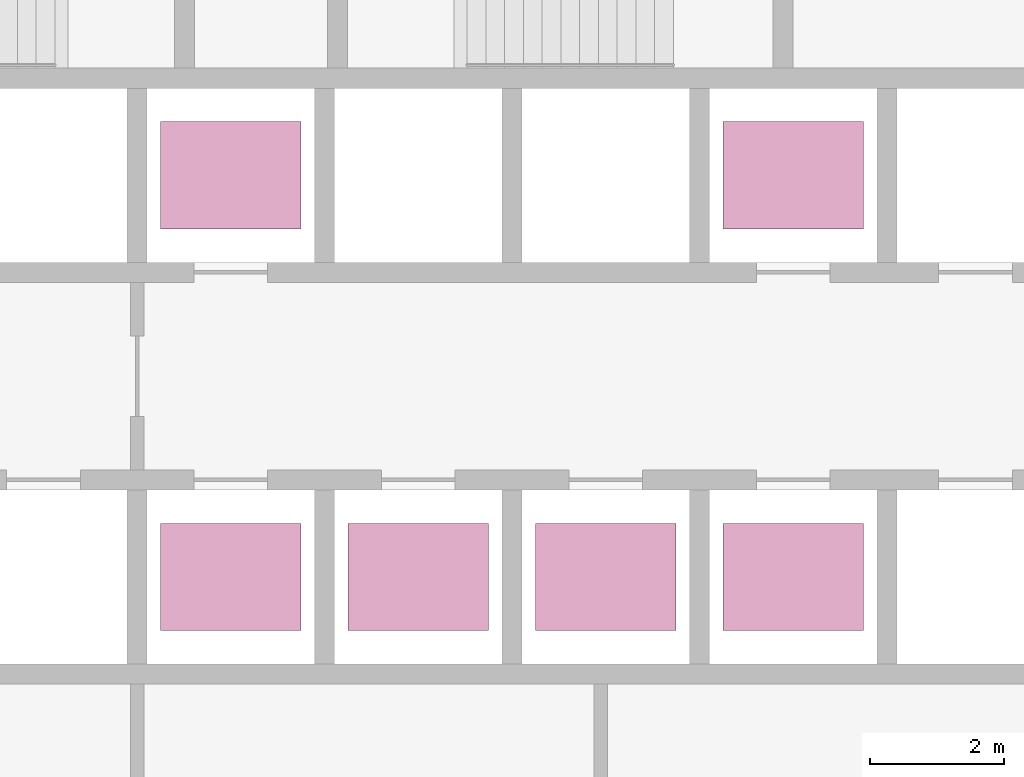
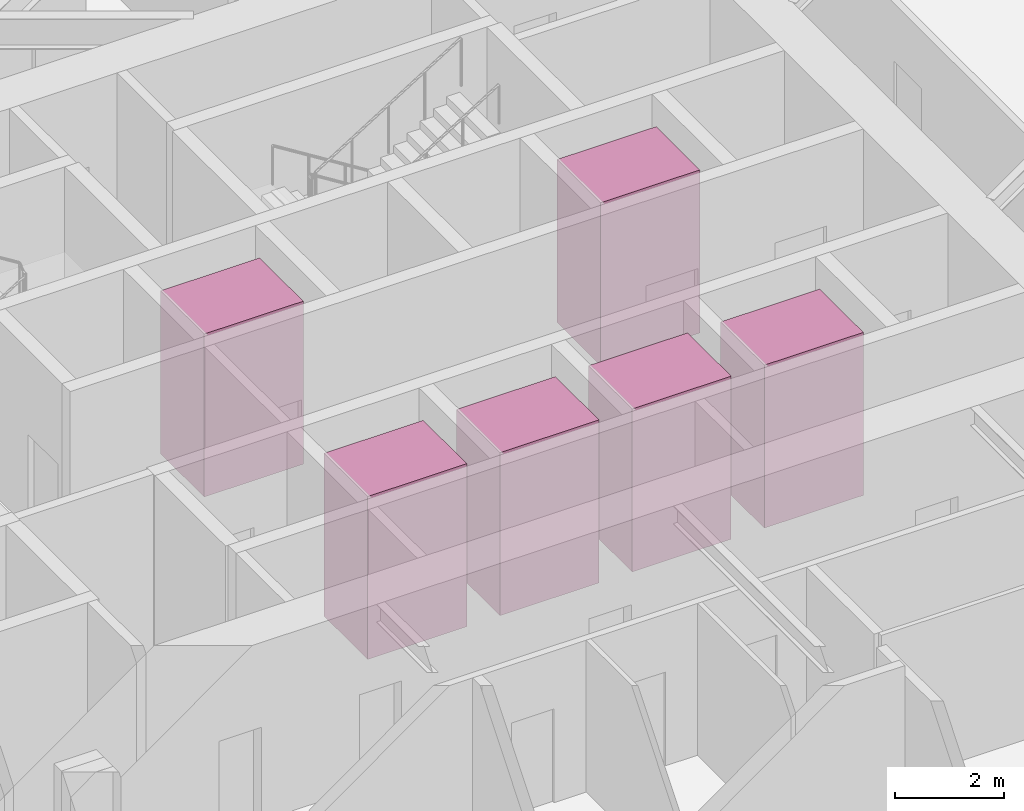
# One storey, part 24 of 25: 6 transport elements.
"""IFC4 building model written with IfcOpenShell, lengths in metres."""

from ifc_helpers import new_model, si_unit, direction, frame, origin, origin_2d, place, context, subcontext, project, spatial, rectangle, extrude, material, type_object, element, save


model = new_model("IFC4")

# Units and contexts
model_context = context("Model", 3, precision=1e-05, world=origin(), true_north=direction((0.0, 1.0)))
body_context = subcontext(model_context, "Body", "Model", "MODEL_VIEW")
ifc_project = project(units=[si_unit("LENGTHUNIT", "METRE"), si_unit("AREAUNIT", "SQUARE_METRE"), si_unit("VOLUMEUNIT", "CUBIC_METRE"), si_unit("PLANEANGLEUNIT", "RADIAN"), si_unit("MASSUNIT", "GRAM", prefix="KILO")], contexts=[model_context])

# Site, building, storey
site_placement = place(None, origin())
site = spatial("IfcSite", under=ifc_project, at=site_placement, CompositionType="ELEMENT")
building_placement = place(site_placement, origin())
building = spatial("IfcBuilding", under=site, at=building_placement, Name="Firuza Gate Tower and Library", CompositionType="ELEMENT")
storey_placement = place(building_placement, frame((0.0, 0.0, 86.199951171875)))
storey = spatial("IfcBuildingStorey", under=building, at=storey_placement, Name="L19", CompositionType="ELEMENT", Elevation=86.199951171875)

# Transport elements
ifc_material = material(Name="Stainless steel and glass", Category="steel")
transport_element_type = type_object("IfcTransportElementType", Name="Low-rise lift car 2100x1600", PredefinedType="ELEVATOR", material=ifc_material)
for number, where, z_axis, x_axis, name in (
    (1, (74.64990234375, 70.300048828125, 0.0), (0.0, 0.0, 1.0), (1.0, 0.0, 0.0), "Low-rise lift LR1"),
    (2, (77.449951171875, 70.300048828125, 0.0), (0.0, 0.0, 1.0), (1.0, 0.0, 0.0), "Low-rise lift LR2"),
    (3, (80.25, 70.300048828125, 0.0), (0.0, 0.0, 1.0), (1.0, 0.0, 0.0), "Low-rise lift LR3"),
    (4, (74.64990234375, 76.300048828125, 0.0), (0.0, 0.0, 1.0), (1.0, 0.0, 0.0), "Low-rise lift LR4"),
    (5, (83.050048828125, 70.300048828125, 0.0), (0.0, 0.0, 1.0), (1.0, 0.0, 0.0), "Low-rise lift LR5"),
    (6, (83.050048828125, 76.300048828125, 0.0), (0.0, 0.0, 1.0), (1.0, 0.0, 0.0), "Low-rise lift LR6"),
):
    element("IfcTransportElement", number, at=place(storey_placement, frame(where, z_axis=z_axis, x_axis=x_axis)), inside=storey, type_object=transport_element_type, Name=name, PredefinedType="ELEVATOR", context=body_context, shape_type="SweptSolid", body=[
        extrude(rectangle(XDim=2.10009765625, YDim=1.60009765625, at=origin_2d()), origin(), (0.0, 0.0, 1.0), 3.64990234375),
    ])

save(model, "model.ifc")
